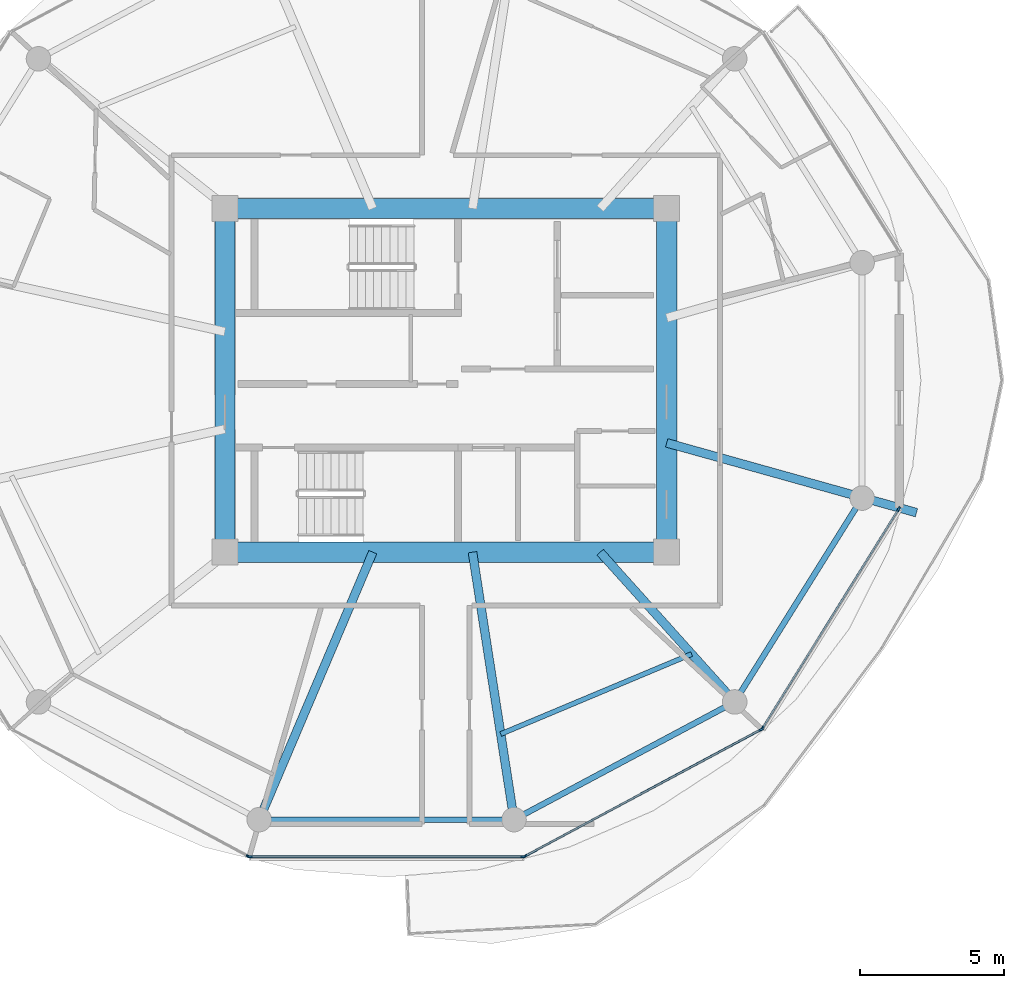
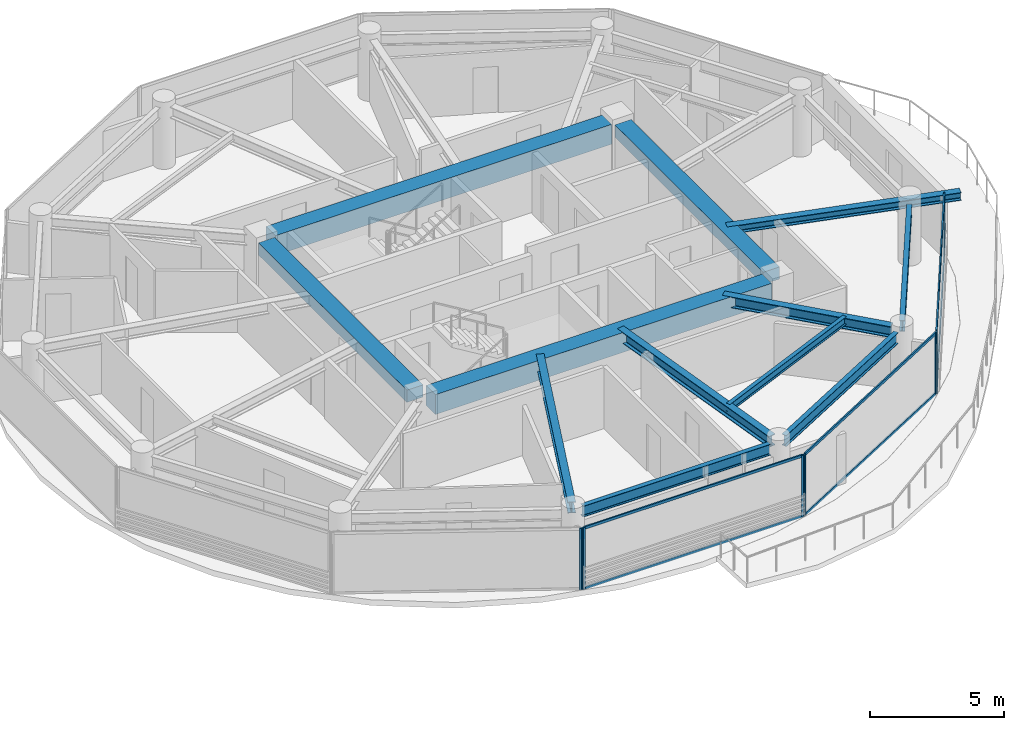
# One storey, part 10 of 23: 13 members, 12 beams, 4 elements without a shape of their own.
"""IFC4 building model written with IfcOpenShell, lengths in metres."""

from ifc_helpers import new_model, si_unit, direction, frame, origin, origin_2d, place, context, subcontext, project, spatial, rectangle, i_section, extrude, source, transform, mapped, material, layer, layer_set, material_profile, profile_set, type_object, type_shapes, element, aggregate, save


model = new_model("IFC4")

# Units and contexts
model_context = context("Model", 3, precision=1e-05, world=origin(), true_north=direction((0.0, 1.0)))
body_context = subcontext(model_context, "Body", "Model", "MODEL_VIEW")
ifc_project = project(units=[si_unit("LENGTHUNIT", "METRE"), si_unit("AREAUNIT", "SQUARE_METRE"), si_unit("VOLUMEUNIT", "CUBIC_METRE"), si_unit("PLANEANGLEUNIT", "RADIAN"), si_unit("MASSUNIT", "GRAM", prefix="KILO")], contexts=[model_context])

# Site, building, storey
site_placement = place(None, origin())
site = spatial("IfcSite", under=ifc_project, at=site_placement, CompositionType="ELEMENT")
building_placement = place(site_placement, origin())
building = spatial("IfcBuilding", under=site, at=building_placement, Name="Norrkilde Senior Care Towers", CompositionType="ELEMENT")
storey_placement = place(building_placement, frame((0.0, 0.0, 93.199951171875)))
storey = spatial("IfcBuildingStorey", under=building, at=storey_placement, Name="L28", CompositionType="ELEMENT", Elevation=93.199951171875)

# Beams
ifc_material_1 = material(Name="Concrete C60/75", Category="concrete")
ifc_material_profile_1 = material_profile(ifc_material_1, rectangle(XDim=0.699951171875, YDim=0.89990234375, at=origin_2d()), Name="RC BM 700x900")
ifc_profile_set_1 = profile_set([ifc_material_profile_1], Name="Concrete C60/75")
beam_type_1 = type_object("IfcBeamType", Name="Core Coupling Girder 700x900", PredefinedType="USERDEFINED", material=ifc_profile_set_1)
shared_shape_1 = source(origin(), body_context, "Body", "SweptSolid", [
    extrude(rectangle(XDim=0.699951171875, YDim=0.89990234375, at=origin_2d()), origin(), (0.0, 0.0, 1.0), 14.43994140625),
])
type_shapes(beam_type_1, [shared_shape_1])
for number, where, z_axis, x_axis, name in (
    (1, (20.780029296875, 5.949951171875, 2.340087890625), (1.0, 0.0, 0.0), (0.0, 1.0, 0.0), "L28 Core E N Coupling Girder"),
    (2, (20.780029296875, -5.949951171875, 2.340087890625), (1.0, 0.0, 0.0), (0.0, 1.0, 0.0), "L28 Core E S Coupling Girder"),
):
    element("IfcBeam", number, at=place(storey_placement, frame(where, z_axis=z_axis, x_axis=x_axis)), inside=storey, type_object=beam_type_1, Name=name, ObjectType="GIRDER", PredefinedType="USERDEFINED", context=body_context, shape_type="MappedRepresentation", body=[
        mapped(shared_shape_1, transform((0.0, 0.0, 0.0), x_axis=(1.0, 0.0, 0.0), y_axis=(0.0, 1.0, 0.0), z_axis=(0.0, 0.0, 1.0), scale=1.0)),
    ])
ifc_material_profile_2 = material_profile(ifc_material_1, rectangle(XDim=0.699951171875, YDim=0.550048828125, at=origin_2d()), Name="RC BM 700x550")
ifc_profile_set_2 = profile_set([ifc_material_profile_2], Name="Concrete C60/75")
beam_type_2 = type_object("IfcBeamType", Name="Core Portal Coupling Beam 700x550", PredefinedType="USERDEFINED", material=ifc_profile_set_2)
shared_shape_2 = source(origin(), body_context, "Body", "SweptSolid", [
    extrude(rectangle(XDim=0.699951171875, YDim=0.550048828125, at=origin_2d()), origin(), (0.0, 0.0, 1.0), 11.0400390625),
])
type_shapes(beam_type_2, [shared_shape_2])
for number, where, z_axis, x_axis, name in (
    (3, (20.35009765625, -5.52001953125, 2.51513671875), (0.0, 1.0, 0.0), (-1.0, 0.0, 0.0), "L28 Core E W Coupling Girder"),
    (4, (35.64990234375, -5.52001953125, 2.51513671875), (0.0, 1.0, 0.0), (-1.0, 0.0, 0.0), "L28 Core E E Coupling Girder"),
):
    element("IfcBeam", number, at=place(storey_placement, frame(where, z_axis=z_axis, x_axis=x_axis)), inside=storey, type_object=beam_type_2, Name=name, ObjectType="GIRDER", PredefinedType="USERDEFINED", context=body_context, shape_type="MappedRepresentation", body=[
        mapped(shared_shape_2, transform((0.0, 0.0, 0.0), x_axis=(1.0, 0.0, 0.0), y_axis=(0.0, 1.0, 0.0), z_axis=(0.0, 0.0, 1.0), scale=1.0)),
    ])
ifc_material_2 = material(Name="Steel S355", Category="steel")
ifc_material_profile_3 = material_profile(ifc_material_2, i_section(OverallWidth=0.199951171875, OverallDepth=0.5, WebThickness=0.01025390625, FlangeThickness=0.01611328125, FilletRadius=0.02099609375, at=origin_2d()), Name="IPE 500")
ifc_profile_set_3 = profile_set([ifc_material_profile_3], Name="Steel S355")
beam_type_3 = type_object("IfcBeamType", Name="Perimeter Ring Spandrel Z2 IPE500", PredefinedType="SPANDREL", material=ifc_profile_set_3)
shared_shape_3 = source(origin(), body_context, "Body", "SweptSolid", [
    extrude(i_section(OverallWidth=0.199951171875, OverallDepth=0.5, WebThickness=0.01025390625, FlangeThickness=0.01611328125, FilletRadius=0.02099609375, at=origin_2d()), origin(), (0.0, 0.0, 1.0), 7.892333984375),
])
beam_1_placement = place(storey_placement, frame((30.70263671875, -15.0322265625, 2.5400390625), z_axis=(0.882350372282, 0.47059305194, 0.0), x_axis=(-0.47059305194, 0.882350372282, 0.0)))
element("IfcBeam", 5, at=beam_1_placement, inside=storey, type_object=beam_type_3, Name="L28 Drum E Perimeter Spandrel 10", PredefinedType="SPANDREL", context=body_context, shape_type="MappedRepresentation", body=[
    mapped(shared_shape_3, transform((0.0, 0.0, 0.0), x_axis=(1.0, 0.0, 0.0), y_axis=(0.0, 1.0, 0.0), z_axis=(0.0, 0.0, 1.0), scale=1.0)),
])
shared_shape_4 = source(origin(), body_context, "Body", "SweptSolid", [
    extrude(i_section(OverallWidth=0.199951171875, OverallDepth=0.5, WebThickness=0.01025390625, FlangeThickness=0.01611328125, FilletRadius=0.02099609375, at=origin_2d()), origin(), (0.0, 0.0, 1.0), 8.0556640625),
])
beam_2_placement = place(storey_placement, frame((21.922119140625, -15.21337890625, 2.5400390625), z_axis=(1.0, 0.0, 0.0), x_axis=(0.0, 1.0, 0.0)))
element("IfcBeam", 6, at=beam_2_placement, inside=storey, type_object=beam_type_3, Name="L28 Drum E Perimeter Spandrel 09", PredefinedType="SPANDREL", context=body_context, shape_type="MappedRepresentation", body=[
    mapped(shared_shape_4, transform((0.0, 0.0, 0.0), x_axis=(1.0, 0.0, 0.0), y_axis=(0.0, 1.0, 0.0), z_axis=(0.0, 0.0, 1.0), scale=1.0)),
])
ifc_material_profile_4 = material_profile(ifc_material_2, i_section(OverallWidth=0.300048828125, OverallDepth=0.5, WebThickness=0.014404296875, FlangeThickness=0.028076171875, FilletRadius=0.027099609375, at=origin_2d()), Name="HEB 500")
ifc_profile_set_4 = profile_set([ifc_material_profile_4], Name="Steel S355")
beam_type_4 = type_object("IfcBeamType", Name="Radial Floor Beam Z2 HEB500", PredefinedType="BEAM", material=ifc_profile_set_4)
shared_shape_5 = source(origin(), body_context, "Body", "SweptSolid", [
    extrude(i_section(OverallWidth=0.300048828125, OverallDepth=0.5, WebThickness=0.014404296875, FlangeThickness=0.028076171875, FilletRadius=0.027099609375, at=origin_2d()), origin(), (0.0, 0.0, 1.0), 9.679443359375),
])
beam_3_placement = place(storey_placement, frame((25.472412109375, -5.949951171875, 2.5400390625), z_axis=(-0.390998033479, -0.920391513333, 0.0), x_axis=(0.920391513333, -0.390998033479, 0.0)))
element("IfcBeam", 7, at=beam_3_placement, inside=storey, type_object=beam_type_4, Name="L28 Drum E Radial Floor Beam 09", PredefinedType="BEAM", context=body_context, shape_type="MappedRepresentation", body=[
    mapped(shared_shape_5, transform((0.0, 0.0, 0.0), x_axis=(1.0, 0.0, 0.0), y_axis=(0.0, 1.0, 0.0), z_axis=(0.0, 0.0, 1.0), scale=1.0)),
])
shared_shape_6 = source(origin(), body_context, "Body", "SweptSolid", [
    extrude(i_section(OverallWidth=0.300048828125, OverallDepth=0.5, WebThickness=0.014404296875, FlangeThickness=0.028076171875, FilletRadius=0.027099609375, at=origin_2d()), origin(), (0.0, 0.0, 1.0), 8.989501953125),
])
beam_4_placement = place(storey_placement, frame((28.924072265625, -5.949951171875, 2.5400390625), z_axis=(0.153471298636, -0.988153105796, 0.0), x_axis=(0.988153105796, 0.153471298636, 0.0)))
element("IfcBeam", 8, at=beam_4_placement, inside=storey, type_object=beam_type_4, Name="L28 Drum E Radial Floor Beam 10", PredefinedType="BEAM", context=body_context, shape_type="MappedRepresentation", body=[
    mapped(shared_shape_6, transform((0.0, 0.0, 0.0), x_axis=(1.0, 0.0, 0.0), y_axis=(0.0, 1.0, 0.0), z_axis=(0.0, 0.0, 1.0), scale=1.0)),
])
shared_shape_7 = source(origin(), body_context, "Body", "SweptSolid", [
    extrude(i_section(OverallWidth=0.199951171875, OverallDepth=0.5, WebThickness=0.01025390625, FlangeThickness=0.01611328125, FilletRadius=0.02099609375, at=origin_2d()), origin(), (0.0, 0.0, 1.0), 7.556396484375),
])
type_shapes(beam_type_3, [shared_shape_3, shared_shape_4, shared_shape_7])
beam_5_placement = place(storey_placement, frame((38.210205078125, -10.810546875, 2.5400390625), z_axis=(0.530004748437, 0.847994673706, 0.0), x_axis=(-0.847994673706, 0.530004748437, 0.0)))
element("IfcBeam", 9, at=beam_5_placement, inside=storey, type_object=beam_type_3, Name="L28 Drum E Perimeter Spandrel 11", PredefinedType="SPANDREL", context=body_context, shape_type="MappedRepresentation", body=[
    mapped(shared_shape_7, transform((0.0, 0.0, 0.0), x_axis=(1.0, 0.0, 0.0), y_axis=(0.0, 1.0, 0.0), z_axis=(0.0, 0.0, 1.0), scale=1.0)),
])
shared_shape_8 = source(origin(), body_context, "Body", "SweptSolid", [
    extrude(i_section(OverallWidth=0.300048828125, OverallDepth=0.5, WebThickness=0.014404296875, FlangeThickness=0.028076171875, FilletRadius=0.027099609375, at=origin_2d()), origin(), (0.0, 0.0, 1.0), 6.587890625),
])
type_shapes(beam_type_4, [shared_shape_5, shared_shape_6, shared_shape_8])
beam_6_placement = place(storey_placement, frame((33.345947265625, -5.949951171875, 2.5400390625), z_axis=(0.668315438605, -0.743877997068, 0.0), x_axis=(0.743877997068, 0.668315438605, 0.0)))
element("IfcBeam", 10, at=beam_6_placement, inside=storey, type_object=beam_type_4, Name="L28 Drum E Radial Floor Beam 11", PredefinedType="BEAM", context=body_context, shape_type="MappedRepresentation", body=[
    mapped(shared_shape_8, transform((0.0, 0.0, 0.0), x_axis=(1.0, 0.0, 0.0), y_axis=(0.0, 1.0, 0.0), z_axis=(0.0, 0.0, 1.0), scale=1.0)),
])
ifc_material_profile_5 = material_profile(ifc_material_2, i_section(OverallWidth=0.169921875, OverallDepth=0.360107421875, WebThickness=0.008056640625, FlangeThickness=0.0126953125, FilletRadius=0.01806640625, at=origin_2d()), Name="IPE 360")
ifc_profile_set_5 = profile_set([ifc_material_profile_5], Name="Steel S355")
beam_type_5 = type_object("IfcBeamType", Name="Secondary Floor Joist IPE360", PredefinedType="JOIST", material=ifc_profile_set_5)
shared_shape_9 = source(origin(), body_context, "Body", "SweptSolid", [
    extrude(i_section(OverallWidth=0.169921875, OverallDepth=0.360107421875, WebThickness=0.008056640625, FlangeThickness=0.0126953125, FilletRadius=0.01806640625, at=origin_2d()), origin(), (0.0, 0.0, 1.0), 7.169921875),
])
type_shapes(beam_type_5, [shared_shape_9])
beam_7_placement = place(storey_placement, frame((29.902587890625, -12.2490234375, 2.610107421875), z_axis=(0.922240600393, 0.386616444279, 0.0), x_axis=(-0.386616444279, 0.922240600393, 0.0)))
element("IfcBeam", 11, at=beam_7_placement, inside=storey, type_object=beam_type_5, Name="L28 Drum E Secondary Floor Joist 4", PredefinedType="JOIST", context=body_context, shape_type="MappedRepresentation", body=[
    mapped(shared_shape_9, transform((0.0, 0.0, 0.0), x_axis=(1.0, 0.0, 0.0), y_axis=(0.0, 1.0, 0.0), z_axis=(0.0, 0.0, 1.0), scale=1.0)),
])
ifc_material_profile_6 = material_profile(ifc_material_2, i_section(OverallWidth=0.300048828125, OverallDepth=0.360107421875, WebThickness=0.012451171875, FlangeThickness=0.0224609375, FilletRadius=0.027099609375, at=origin_2d()), Name="HEB 360")
ifc_profile_set_6 = profile_set([ifc_material_profile_6], Name="Steel S355")
beam_type_6 = type_object("IfcBeamType", Name="Balcony Crest Cantilever Rib HEB360", PredefinedType="BEAM", material=ifc_profile_set_6)
shared_shape_10 = source(origin(), body_context, "Body", "SweptSolid", [
    extrude(i_section(OverallWidth=0.300048828125, OverallDepth=0.360107421875, WebThickness=0.012451171875, FlangeThickness=0.0224609375, FilletRadius=0.027099609375, at=origin_2d()), origin(), (0.0, 0.0, 1.0), 8.984130859375),
])
type_shapes(beam_type_6, [shared_shape_10])
beam_8_placement = place(storey_placement, frame((35.64990234375, -2.162841796875, 2.610107421875), z_axis=(0.963094296719, -0.269164216839, 0.0), x_axis=(0.269164216839, 0.963094296719, 0.0)))
element("IfcBeam", 12, at=beam_8_placement, inside=storey, type_object=beam_type_6, Name="L28 Drum E Balcony Cantilever Rib", PredefinedType="BEAM", context=body_context, shape_type="MappedRepresentation", body=[
    mapped(shared_shape_10, transform((0.0, 0.0, 0.0), x_axis=(1.0, 0.0, 0.0), y_axis=(0.0, 1.0, 0.0), z_axis=(0.0, 0.0, 1.0), scale=1.0)),
])

# Curtain wall, member
ifc_material_3 = material(Name="Triple Low-E Insulated Glazing", Category="glass")
ifc_layer = layer(ifc_material_3, 0.195068359375)
ifc_layer_set = layer_set([ifc_layer], Name="Triple Low-E Insulated Glazing")
curtain_wall_type = type_object("IfcCurtainWallType", Name="CW3 Zone 2 Assisted Living Curtain Wall", PredefinedType="NOTDEFINED", material=ifc_layer_set)
curtain_wall_1_placement = place(storey_placement, origin())
curtain_wall_1 = element("IfcCurtainWall", 13, at=curtain_wall_1_placement, inside=storey, type_object=curtain_wall_type, Name="L28 Drum E Curtain Wall 07", PredefinedType="NOTDEFINED")
ifc_material_4 = material(Name="Anodised Aluminium", Category="aluminium")
ifc_material_profile_7 = material_profile(ifc_material_4, rectangle(XDim=0.06494140625, YDim=0.159912109375, at=origin_2d()), Name="ALU MULL 65x160")
ifc_profile_set_7 = profile_set([ifc_material_profile_7], Name="Anodised Aluminium")
member_type_1 = type_object("IfcMemberType", Name="Curtain Wall Mullion Z1-Z2 65x160", PredefinedType="MULLION", material=ifc_profile_set_7)
shared_shape_11 = source(origin(), body_context, "Body", "SweptSolid", [
    extrude(rectangle(XDim=0.06494140625, YDim=0.159912109375, at=origin_2d()), origin(), (0.0, 0.0, 1.0), 2.7900390625),
])
type_shapes(member_type_1, [shared_shape_11])
member_1_placement = place(storey_placement, frame((21.164306640625, -16.482666015625, 0.0), z_axis=(0.0, 0.0, 1.0), x_axis=(-0.472769402511, -0.881186184668, 0.0)))
member_1 = element("IfcMember", 14, at=member_1_placement, type_object=member_type_1, Name="CW-3 mullion 1", PredefinedType="MULLION", context=body_context, shape_type="MappedRepresentation", body=[
    mapped(shared_shape_11, transform((0.0, 0.0, 0.0), x_axis=(1.0, 0.0, 0.0), y_axis=(0.0, 1.0, 0.0), z_axis=(0.0, 0.0, 1.0), scale=1.0)),
])
aggregate(curtain_wall_1, [member_1])

# Curtain wall, members
curtain_wall_2_placement = place(storey_placement, origin())
curtain_wall_2 = element("IfcCurtainWall", 15, at=curtain_wall_2_placement, inside=storey, type_object=curtain_wall_type, Name="L28 Drum E Curtain Wall 08", PredefinedType="NOTDEFINED")
member_2_placement = place(storey_placement, frame((30.674560546875, -16.498046875, 0.0), z_axis=(0.0, 0.0, 1.0), x_axis=(0.0, -1.0, 0.0)))
member_2 = element("IfcMember", 16, at=member_2_placement, type_object=member_type_1, Name="CW-3 mullion 1", PredefinedType="MULLION", context=body_context, shape_type="MappedRepresentation", body=[
    mapped(shared_shape_11, transform((0.0, 0.0, 0.0), x_axis=(1.0, 0.0, 0.0), y_axis=(0.0, 1.0, 0.0), z_axis=(0.0, 0.0, 1.0), scale=1.0)),
])
member_3_placement = place(storey_placement, frame((21.225341796875, -16.498046875, 0.0), z_axis=(0.0, 0.0, 1.0), x_axis=(0.0, -1.0, 0.0)))
member_3 = element("IfcMember", 17, at=member_3_placement, type_object=member_type_1, Name="CW-3 mullion 2", PredefinedType="MULLION", context=body_context, shape_type="MappedRepresentation", body=[
    mapped(shared_shape_11, transform((0.0, 0.0, 0.0), x_axis=(1.0, 0.0, 0.0), y_axis=(0.0, 1.0, 0.0), z_axis=(0.0, 0.0, 1.0), scale=1.0)),
])

curtain_wall_3_placement = place(storey_placement, origin())
curtain_wall_3 = element("IfcCurtainWall", 18, at=curtain_wall_3_placement, inside=storey, type_object=curtain_wall_type, Name="L28 Drum E Curtain Wall 09", PredefinedType="NOTDEFINED")
member_4_placement = place(storey_placement, frame((38.91796875, -12.0927734375, 0.0), z_axis=(0.0, 0.0, 1.0), x_axis=(0.472769402511, -0.881186184668, 0.0)))
member_4 = element("IfcMember", 19, at=member_4_placement, type_object=member_type_1, Name="CW-3 mullion 1", PredefinedType="MULLION", context=body_context, shape_type="MappedRepresentation", body=[
    mapped(shared_shape_11, transform((0.0, 0.0, 0.0), x_axis=(1.0, 0.0, 0.0), y_axis=(0.0, 1.0, 0.0), z_axis=(0.0, 0.0, 1.0), scale=1.0)),
])
member_5_placement = place(storey_placement, frame((30.73583984375, -16.482666015625, 0.0), z_axis=(0.0, 0.0, 1.0), x_axis=(0.472769402511, -0.881186184668, 0.0)))
member_5 = element("IfcMember", 20, at=member_5_placement, type_object=member_type_1, Name="CW-3 mullion 2", PredefinedType="MULLION", context=body_context, shape_type="MappedRepresentation", body=[
    mapped(shared_shape_11, transform((0.0, 0.0, 0.0), x_axis=(1.0, 0.0, 0.0), y_axis=(0.0, 1.0, 0.0), z_axis=(0.0, 0.0, 1.0), scale=1.0)),
])

curtain_wall_4_placement = place(storey_placement, origin())
curtain_wall_4 = element("IfcCurtainWall", 21, at=curtain_wall_4_placement, inside=storey, type_object=curtain_wall_type, Name="L28 Drum E Curtain Wall 10", PredefinedType="NOTDEFINED")
member_6_placement = place(storey_placement, frame((43.6865234375, -4.4482421875, 0.0), z_axis=(0.0, 0.0, 1.0), x_axis=(0.849410171862, -0.527733228002, 0.0)))
member_6 = element("IfcMember", 22, at=member_6_placement, type_object=member_type_1, Name="CW-3 mullion 1", PredefinedType="MULLION", context=body_context, shape_type="MappedRepresentation", body=[
    mapped(shared_shape_11, transform((0.0, 0.0, 0.0), x_axis=(1.0, 0.0, 0.0), y_axis=(0.0, 1.0, 0.0), z_axis=(0.0, 0.0, 1.0), scale=1.0)),
])
member_7_placement = place(storey_placement, frame((38.9638671875, -12.0498046875, 0.0), z_axis=(0.0, 0.0, 1.0), x_axis=(0.849410171862, -0.527733228002, 0.0)))
member_7 = element("IfcMember", 23, at=member_7_placement, type_object=member_type_1, Name="CW-3 mullion 2", PredefinedType="MULLION", context=body_context, shape_type="MappedRepresentation", body=[
    mapped(shared_shape_11, transform((0.0, 0.0, 0.0), x_axis=(1.0, 0.0, 0.0), y_axis=(0.0, 1.0, 0.0), z_axis=(0.0, 0.0, 1.0), scale=1.0)),
])
ifc_material_profile_8 = material_profile(ifc_material_4, rectangle(XDim=0.06005859375, YDim=0.1201171875, at=origin_2d()), Name="ALU TRAN 60x120")
ifc_profile_set_8 = profile_set([ifc_material_profile_8], Name="Anodised Aluminium")
member_type_2 = type_object("IfcMemberType", Name="Curtain Wall Transom Typical 60x120", PredefinedType="USERDEFINED", material=ifc_profile_set_8)
shared_shape_12 = source(origin(), body_context, "Body", "SweptSolid", [
    extrude(rectangle(XDim=0.06005859375, YDim=0.1201171875, at=origin_2d()), origin(), (0.0, 0.0, 1.0), 8.88427734375),
])
member_8_placement = place(storey_placement, frame((43.66943359375, -4.475830078125, 0.030029296875), z_axis=(-0.527729466743, -0.849412508697, 0.0), x_axis=(0.849412508697, -0.527729466743, 0.0)))
member_8 = element("IfcMember", 24, at=member_8_placement, type_object=member_type_2, Name="CW-3 transom 1.1", ObjectType="TRANSOM", PredefinedType="USERDEFINED", context=body_context, shape_type="MappedRepresentation", body=[
    mapped(shared_shape_12, transform((0.0, 0.0, 0.0), x_axis=(1.0, 0.0, 0.0), y_axis=(0.0, 1.0, 0.0), z_axis=(0.0, 0.0, 1.0), scale=1.0)),
])
member_9_placement = place(storey_placement, frame((43.66943359375, -4.475830078125, 2.760009765625), z_axis=(-0.527729466743, -0.849412508697, 0.0), x_axis=(0.849412508697, -0.527729466743, 0.0)))
member_9 = element("IfcMember", 25, at=member_9_placement, type_object=member_type_2, Name="CW-3 transom 1.2", ObjectType="TRANSOM", PredefinedType="USERDEFINED", context=body_context, shape_type="MappedRepresentation", body=[
    mapped(shared_shape_12, transform((0.0, 0.0, 0.0), x_axis=(1.0, 0.0, 0.0), y_axis=(0.0, 1.0, 0.0), z_axis=(0.0, 0.0, 1.0), scale=1.0)),
])
aggregate(curtain_wall_4, [member_6, member_7, member_8, member_9])

# Member
shared_shape_13 = source(origin(), body_context, "Body", "SweptSolid", [
    extrude(rectangle(XDim=0.06005859375, YDim=0.1201171875, at=origin_2d()), origin(), (0.0, 0.0, 1.0), 9.220458984375),
])
member_10_placement = place(storey_placement, frame((38.889404296875, -12.108154296875, 0.030029296875), z_axis=(-0.881188517866, -0.472765053681, 0.0), x_axis=(0.472765053681, -0.881188517866, 0.0)))
member_10 = element("IfcMember", 26, at=member_10_placement, type_object=member_type_2, Name="CW-3 transom 1.1", ObjectType="TRANSOM", PredefinedType="USERDEFINED", context=body_context, shape_type="MappedRepresentation", body=[
    mapped(shared_shape_13, transform((0.0, 0.0, 0.0), x_axis=(1.0, 0.0, 0.0), y_axis=(0.0, 1.0, 0.0), z_axis=(0.0, 0.0, 1.0), scale=1.0)),
])

member_11_placement = place(storey_placement, frame((38.889404296875, -12.108154296875, 2.760009765625), z_axis=(-0.881188517866, -0.472765053681, 0.0), x_axis=(0.472765053681, -0.881188517866, 0.0)))
member_11 = element("IfcMember", 27, at=member_11_placement, type_object=member_type_2, Name="CW-3 transom 1.2", ObjectType="TRANSOM", PredefinedType="USERDEFINED", context=body_context, shape_type="MappedRepresentation", body=[
    mapped(shared_shape_13, transform((0.0, 0.0, 0.0), x_axis=(1.0, 0.0, 0.0), y_axis=(0.0, 1.0, 0.0), z_axis=(0.0, 0.0, 1.0), scale=1.0)),
])

aggregate(curtain_wall_3, [member_4, member_5, member_10, member_11])

shared_shape_14 = source(origin(), body_context, "Body", "SweptSolid", [
    extrude(rectangle(XDim=0.06005859375, YDim=0.1201171875, at=origin_2d()), origin(), (0.0, 0.0, 1.0), 9.38427734375),
])
type_shapes(member_type_2, [shared_shape_12, shared_shape_13, shared_shape_14])
member_12_placement = place(storey_placement, frame((30.64208984375, -16.498046875, 0.030029296875), z_axis=(-1.0, 0.0, 0.0), x_axis=(0.0, -1.0, 0.0)))
member_12 = element("IfcMember", 28, at=member_12_placement, type_object=member_type_2, Name="CW-3 transom 1.1", ObjectType="TRANSOM", PredefinedType="USERDEFINED", context=body_context, shape_type="MappedRepresentation", body=[
    mapped(shared_shape_14, transform((0.0, 0.0, 0.0), x_axis=(1.0, 0.0, 0.0), y_axis=(0.0, 1.0, 0.0), z_axis=(0.0, 0.0, 1.0), scale=1.0)),
])

member_13_placement = place(storey_placement, frame((30.64208984375, -16.498046875, 2.760009765625), z_axis=(-1.0, 0.0, 0.0), x_axis=(0.0, -1.0, 0.0)))
member_13 = element("IfcMember", 29, at=member_13_placement, type_object=member_type_2, Name="CW-3 transom 1.2", ObjectType="TRANSOM", PredefinedType="USERDEFINED", context=body_context, shape_type="MappedRepresentation", body=[
    mapped(shared_shape_14, transform((0.0, 0.0, 0.0), x_axis=(1.0, 0.0, 0.0), y_axis=(0.0, 1.0, 0.0), z_axis=(0.0, 0.0, 1.0), scale=1.0)),
])

aggregate(curtain_wall_2, [member_2, member_3, member_12, member_13])

save(model, "model.ifc")
